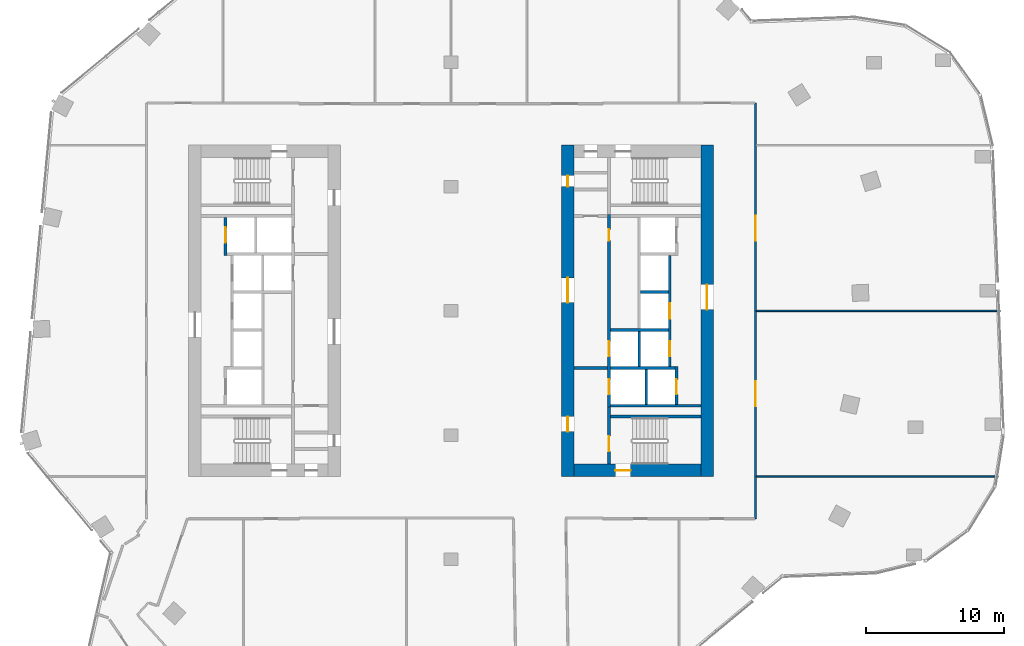
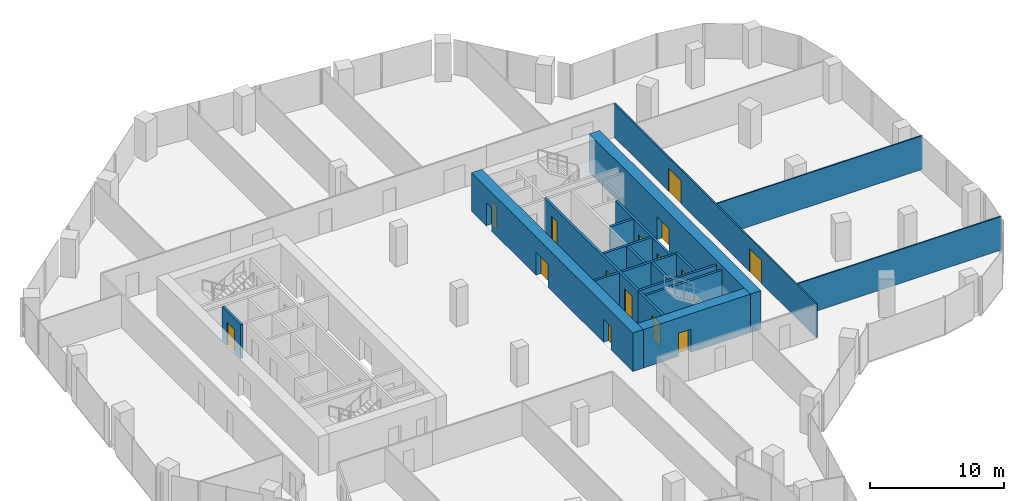
# One storey, part 21 of 24: 19 walls, 15 doors, 15 openings.
"""IFC4 building model written with IfcOpenShell, lengths in metres."""

from ifc_helpers import new_model, si_unit, direction, frame, frame_2d, origin, place, context, subcontext, project, spatial, rectangle, extrude, material, layer, layer_set, type_object, element, fill, save


model = new_model("IFC4")

# Units and contexts
model_context = context("Model", 3, precision=1e-05, world=origin(), true_north=direction((0.0, 1.0)))
body_context = subcontext(model_context, "Body", "Model", "MODEL_VIEW")
ifc_project = project(units=[si_unit("LENGTHUNIT", "METRE"), si_unit("AREAUNIT", "SQUARE_METRE"), si_unit("VOLUMEUNIT", "CUBIC_METRE"), si_unit("PLANEANGLEUNIT", "RADIAN"), si_unit("MASSUNIT", "GRAM", prefix="KILO")], contexts=[model_context])

# Site, building, storey
site_placement = place(None, origin())
site = spatial("IfcSite", under=ifc_project, at=site_placement, CompositionType="ELEMENT")
building_placement = place(site_placement, origin())
building = spatial("IfcBuilding", under=site, at=building_placement, Name="Orlundy Tower", CompositionType="ELEMENT")
storey_placement = place(building_placement, frame((0.0, 0.0, 170.60009765625)))
storey = spatial("IfcBuildingStorey", under=building, at=storey_placement, Name="L44", CompositionType="ELEMENT", Elevation=170.60009765625)

# Wall, opening, door
ifc_material_1 = material(Name="Concrete C70/85", Category="concrete")
ifc_layer_1 = layer(ifc_material_1, 0.89990234375)
ifc_layer_set_1 = layer_set([ifc_layer_1], Name="CORE WALL 900 C70/85")
wall_type_1 = type_object("IfcWallType", Name="CORE WALL 900 C70/85", PredefinedType="SHEAR", material=ifc_layer_set_1)
wall_1_placement = place(storey_placement, frame((8.89990234375, -11.550048828125, 0.0), z_axis=(0.0, 0.0, 1.0), x_axis=(1.0, 0.0, 0.0)))
wall_1 = element("IfcWall", 1, at=wall_1_placement, inside=storey, type_object=wall_type_1, Name="Core wall E-S L44", PredefinedType="SHEAR", context=body_context, shape_type="SweptSolid", body=[
    extrude(rectangle(XDim=9.2001953125, YDim=0.89990234375, at=frame_2d((4.60009765625, 0.0))), origin(), (0.0, 0.0, 1.0), 3.5),
])
opening_1_placement = place(wall_1_placement, frame((3.0, 0.0, 0.0)))
opening_1 = element("IfcOpeningElement", 2, at=opening_1_placement, cuts=wall_1, Name="Opening 35060", PredefinedType="OPENING", context=body_context, shape_type="SweptSolid", body=[
    extrude(rectangle(XDim=1.10009765625, YDim=2.10009765625, at=frame_2d((0.550048828125, 1.050048828125))), frame((0.0, 0.4599609375, 0.0), z_axis=(0.0, -1.0, 0.0), x_axis=(1.0, 0.0, 0.0)), (0.0, 0.0, 1.0), 0.919921875),
])
ifc_material_2 = material(Name="Steel door set", Category="steel")
door_type_1 = type_object("IfcDoorType", Name="Stair Door 1100x2100", OperationType="SINGLE_SWING_LEFT", PredefinedType="DOOR", material=ifc_material_2)
door_1_placement = place(opening_1_placement, origin())
door_1 = element("IfcDoor", 3, at=door_1_placement, inside=storey, type_object=door_type_1, Name="Stair door 35060", OperationType="SINGLE_SWING_LEFT", OverallHeight=2.10009765625, OverallWidth=1.10009765625, PredefinedType="DOOR", context=body_context, shape_type="SweptSolid", body=[
    extrude(rectangle(XDim=1.10009765625, YDim=2.10009765625, at=frame_2d((0.550048828125, 1.050048828125))), frame((0.0, 0.02490234375, 0.0), z_axis=(0.0, -1.0, 0.0), x_axis=(1.0, 0.0, 0.0)), (0.0, 0.0, 1.0), 0.050048828125),
])
fill(opening_1, door_1)

# Wall, openings, doors
wall_2_placement = place(storey_placement, frame((8.449951171875, -12.0, 0.0), z_axis=(0.0, 0.0, 1.0), x_axis=(0.0, 1.0, 0.0)))
wall_2 = element("IfcWall", 4, at=wall_2_placement, inside=storey, type_object=wall_type_1, Name="Core wall E-W L44", PredefinedType="SHEAR", context=body_context, shape_type="SweptSolid", body=[
    extrude(rectangle(XDim=24.0, YDim=0.89990234375, at=frame_2d((12.0, 0.0))), origin(), (0.0, 0.0, 1.0), 3.5),
])
opening_2_placement = place(wall_2_placement, frame((12.60009765625, 0.0, 0.0)))
opening_2 = element("IfcOpeningElement", 5, at=opening_2_placement, cuts=wall_2, Name="Opening 35057", PredefinedType="OPENING", context=body_context, shape_type="SweptSolid", body=[
    extrude(rectangle(XDim=1.800048828125, YDim=2.10009765625, at=frame_2d((0.89990234375, 1.050048828125))), frame((0.0, 0.4599609375, 0.0), z_axis=(0.0, -1.0, 0.0), x_axis=(1.0, 0.0, 0.0)), (0.0, 0.0, 1.0), 0.919921875),
])
opening_3_placement = place(wall_2_placement, frame((3.25, 0.0, 0.0)))
opening_3 = element("IfcOpeningElement", 6, at=opening_3_placement, cuts=wall_2, Name="Opening 35059", PredefinedType="OPENING", context=body_context, shape_type="SweptSolid", body=[
    extrude(rectangle(XDim=1.10009765625, YDim=2.10009765625, at=frame_2d((0.550048828125, 1.050048828125))), frame((0.0, 0.4599609375, 0.0), z_axis=(0.0, -1.0, 0.0), x_axis=(1.0, 0.0, 0.0)), (0.0, 0.0, 1.0), 0.919921875),
])
opening_4_placement = place(wall_2_placement, frame((21.0, 0.0, 0.0)))
opening_4 = element("IfcOpeningElement", 7, at=opening_4_placement, cuts=wall_2, Name="Opening 35064", PredefinedType="OPENING", context=body_context, shape_type="SweptSolid", body=[
    extrude(rectangle(XDim=0.800048828125, YDim=2.10009765625, at=frame_2d((0.39990234375, 1.050048828125))), frame((0.0, 0.4599609375, 0.0), z_axis=(0.0, -1.0, 0.0), x_axis=(1.0, 0.0, 0.0)), (0.0, 0.0, 1.0), 0.919921875),
])
ifc_material_3 = material(Name="Steel door set", Category="steel")
door_type_2 = type_object("IfcDoorType", Name="Fire-fighting Lobby Door 1100x2100", OperationType="SINGLE_SWING_LEFT", PredefinedType="DOOR", material=ifc_material_3)
door_2_placement = place(opening_3_placement, origin())
door_2 = element("IfcDoor", 8, at=door_2_placement, inside=storey, type_object=door_type_2, Name="Fire-fighting lobby door 35059", OperationType="SINGLE_SWING_LEFT", OverallHeight=2.10009765625, OverallWidth=1.10009765625, PredefinedType="DOOR", context=body_context, shape_type="SweptSolid", body=[
    extrude(rectangle(XDim=1.10009765625, YDim=2.10009765625, at=frame_2d((0.550048828125, 1.050048828125))), frame((0.0, 0.02490234375, 0.0), z_axis=(0.0, -1.0, 0.0), x_axis=(1.0, 0.0, 0.0)), (0.0, 0.0, 1.0), 0.050048828125),
])
fill(opening_3, door_2)
ifc_material_4 = material(Name="Timber door set", Category="wood")
door_type_3 = type_object("IfcDoorType", Name="Lobby Door 1800x2100", OperationType="DOUBLE_DOOR_DOUBLE_SWING", PredefinedType="DOOR", material=ifc_material_4)
door_3_placement = place(opening_2_placement, origin())
door_3 = element("IfcDoor", 9, at=door_3_placement, inside=storey, type_object=door_type_3, Name="Lift lobby door 35057", OperationType="SINGLE_SWING_RIGHT", OverallHeight=2.10009765625, OverallWidth=1.800048828125, PredefinedType="DOOR", context=body_context, shape_type="SweptSolid", body=[
    extrude(rectangle(XDim=1.800048828125, YDim=2.10009765625, at=frame_2d((0.89990234375, 1.050048828125))), frame((0.0, 0.02490234375, 0.0), z_axis=(0.0, -1.0, 0.0), x_axis=(1.0, 0.0, 0.0)), (0.0, 0.0, 1.0), 0.050048828125),
])
fill(opening_2, door_3)
ifc_material_5 = material(Name="Timber door set", Category="wood")
door_type_4 = type_object("IfcDoorType", Name="Riser Door 800x2100", OperationType="SINGLE_SWING_LEFT", PredefinedType="DOOR", material=ifc_material_5)
door_4_placement = place(opening_4_placement, origin())
door_4 = element("IfcDoor", 10, at=door_4_placement, inside=storey, type_object=door_type_4, Name="Door 35064", OperationType="SINGLE_SWING_RIGHT", OverallHeight=2.10009765625, OverallWidth=0.800048828125, PredefinedType="DOOR", context=body_context, shape_type="SweptSolid", body=[
    extrude(rectangle(XDim=0.800048828125, YDim=2.10009765625, at=frame_2d((0.39990234375, 1.050048828125))), frame((0.0, 0.02490234375, 0.0), z_axis=(0.0, -1.0, 0.0), x_axis=(1.0, 0.0, 0.0)), (0.0, 0.0, 1.0), 0.050048828125),
])
fill(opening_4, door_4)

# Wall, opening, door
wall_3_placement = place(storey_placement, frame((18.550048828125, -12.0, 0.0), z_axis=(0.0, 0.0, 1.0), x_axis=(0.0, 1.0, 0.0)))
wall_3 = element("IfcWall", 11, at=wall_3_placement, inside=storey, type_object=wall_type_1, Name="Core wall E-E L44", PredefinedType="SHEAR", context=body_context, shape_type="SweptSolid", body=[
    extrude(rectangle(XDim=24.0, YDim=0.89990234375, at=frame_2d((12.0, 0.0))), origin(), (0.0, 0.0, 1.0), 3.5),
])
opening_5_placement = place(wall_3_placement, frame((12.10009765625, 0.0, 0.0)))
opening_5 = element("IfcOpeningElement", 12, at=opening_5_placement, cuts=wall_3, Name="Opening 35058", PredefinedType="OPENING", context=body_context, shape_type="SweptSolid", body=[
    extrude(rectangle(XDim=1.800048828125, YDim=2.10009765625, at=frame_2d((0.89990234375, 1.050048828125))), frame((0.0, 0.4599609375, 0.0), z_axis=(0.0, -1.0, 0.0), x_axis=(1.0, 0.0, 0.0)), (0.0, 0.0, 1.0), 0.919921875),
])
door_5_placement = place(opening_5_placement, origin())
door_5 = element("IfcDoor", 13, at=door_5_placement, inside=storey, type_object=door_type_3, Name="Lift lobby door 35058", OperationType="SINGLE_SWING_RIGHT", OverallHeight=2.10009765625, OverallWidth=1.800048828125, PredefinedType="DOOR", context=body_context, shape_type="SweptSolid", body=[
    extrude(rectangle(XDim=1.800048828125, YDim=2.10009765625, at=frame_2d((0.89990234375, 1.050048828125))), frame((0.0, 0.02490234375, 0.0), z_axis=(0.0, -1.0, 0.0), x_axis=(1.0, 0.0, 0.0)), (0.0, 0.0, 1.0), 0.050048828125),
])
fill(opening_5, door_5)

# Walls
ifc_material_6 = material(Name="Gypsum board partition")
ifc_layer_2 = layer(ifc_material_6, 0.10009765625)
ifc_layer_set_2 = layer_set([ifc_layer_2], Name="Floor partition 100")
wall_type_2 = type_object("IfcWallType", Name="Floor partition 100", PredefinedType="PARTITIONING", material=ifc_layer_set_2)
wall_4_placement = place(storey_placement, frame((22.113037109375, -12.0, 0.0), z_axis=(0.0, 0.0, 1.0), x_axis=(1.0, 0.0, 0.0)))
element("IfcWall", 14, at=wall_4_placement, inside=storey, type_object=wall_type_2, Name="wall-int-L44-042", PredefinedType="PARTITIONING", context=body_context, shape_type="SweptSolid", body=[
    extrude(rectangle(XDim=17.530029296875, YDim=0.10009765625, at=frame_2d((8.76513671875, 0.0))), origin(), (0.0, 0.0, 1.0), 3.059814453125),
])
wall_5_placement = place(storey_placement, frame((22.113037109375, 0.0, 0.0), z_axis=(0.0, 0.0, 1.0), x_axis=(1.0, 0.0, 0.0)))
element("IfcWall", 15, at=wall_5_placement, inside=storey, type_object=wall_type_2, Name="wall-int-L44-043", PredefinedType="PARTITIONING", context=body_context, shape_type="SweptSolid", body=[
    extrude(rectangle(XDim=17.666015625, YDim=0.10009765625, at=frame_2d((8.8330078125, 0.0))), origin(), (0.0, 0.0, 1.0), 3.059814453125),
])

# Wall, openings, doors
ifc_material_7 = material(Name="Gypsum board partition, double layer")
ifc_layer_3 = layer(ifc_material_7, 0.125)
ifc_layer_set_3 = layer_set([ifc_layer_3], Name="Floor partition 125")
wall_type_3 = type_object("IfcWallType", Name="Floor partition 125", PredefinedType="PARTITIONING", material=ifc_layer_set_3)
wall_6_placement = place(storey_placement, frame((22.051025390625, 15.050048828125, 0.0), z_axis=(0.0, 0.0, 1.0), x_axis=(0.0, -1.0, 0.0)))
wall_6 = element("IfcWall", 16, at=wall_6_placement, inside=storey, type_object=wall_type_3, Name="wall-int-L44-070", PredefinedType="PARTITIONING", context=body_context, shape_type="SweptSolid", body=[
    extrude(rectangle(XDim=30.10009765625, YDim=0.125, at=frame_2d((15.050048828125, 0.0))), origin(), (0.0, 0.0, 1.0), 3.059814453125),
])
opening_6_placement = place(wall_6_placement, frame((20.14990234375, 0.0, 0.0)))
opening_6 = element("IfcOpeningElement", 17, at=opening_6_placement, cuts=wall_6, Name="Opening 35119", PredefinedType="OPENING", context=body_context, shape_type="SweptSolid", body=[
    extrude(rectangle(XDim=1.800048828125, YDim=2.10009765625, at=frame_2d((0.89990234375, 1.050048828125))), frame((0.0, 0.072509765625, 0.0), z_axis=(0.0, -1.0, 0.0), x_axis=(1.0, 0.0, 0.0)), (0.0, 0.0, 1.0), 0.14501953125),
])
opening_7_placement = place(wall_6_placement, frame((8.14990234375, 0.0, 0.0)))
opening_7 = element("IfcOpeningElement", 18, at=opening_7_placement, cuts=wall_6, Name="Opening 35120", PredefinedType="OPENING", context=body_context, shape_type="SweptSolid", body=[
    extrude(rectangle(XDim=1.800048828125, YDim=2.10009765625, at=frame_2d((0.89990234375, 1.050048828125))), frame((0.0, 0.072509765625, 0.0), z_axis=(0.0, -1.0, 0.0), x_axis=(1.0, 0.0, 0.0)), (0.0, 0.0, 1.0), 0.14501953125),
])
ifc_material_8 = material(Name="Timber door leaf", Category="wood")
door_type_5 = type_object("IfcDoorType", Name="Floor door double 1800 FD30S", OperationType="NOTDEFINED", PredefinedType="DOOR", material=ifc_material_8)
door_6_placement = place(opening_6_placement, origin())
door_6 = element("IfcDoor", 19, at=door_6_placement, inside=storey, type_object=door_type_5, Name="Door 35119", OperationType="DOUBLE_DOOR_SINGLE_SWING", OverallHeight=2.10009765625, OverallWidth=1.800048828125, PredefinedType="DOOR", context=body_context, shape_type="SweptSolid", body=[
    extrude(rectangle(XDim=1.800048828125, YDim=2.10009765625, at=frame_2d((0.89990234375, 1.050048828125))), frame((0.0, 0.02490234375, 0.0), z_axis=(0.0, -1.0, 0.0), x_axis=(1.0, 0.0, 0.0)), (0.0, 0.0, 1.0), 0.050048828125),
])
fill(opening_6, door_6)
door_7_placement = place(opening_7_placement, origin())
door_7 = element("IfcDoor", 20, at=door_7_placement, inside=storey, type_object=door_type_5, Name="Door 35120", OperationType="DOUBLE_DOOR_SINGLE_SWING", OverallHeight=2.10009765625, OverallWidth=1.800048828125, PredefinedType="DOOR", context=body_context, shape_type="SweptSolid", body=[
    extrude(rectangle(XDim=1.800048828125, YDim=2.10009765625, at=frame_2d((0.89990234375, 1.050048828125))), frame((0.0, 0.02490234375, 0.0), z_axis=(0.0, -1.0, 0.0), x_axis=(1.0, 0.0, 0.0)), (0.0, 0.0, 1.0), 0.050048828125),
])
fill(opening_7, door_7)

# Wall, opening, door
ifc_material_9 = material(Name="Concrete C40/50", Category="concrete")
ifc_layer_4 = layer(ifc_material_9, 0.199951171875)
ifc_layer_set_4 = layer_set([ifc_layer_4], Name="Load-bearing Shaft Wall 200")
wall_type_4 = type_object("IfcWallType", Name="Load-bearing Shaft Wall 200", PredefinedType="SOLIDWALL", material=ifc_layer_set_4)
wall_7_placement = place(storey_placement, frame((11.43994140625, -6.97509765625, 0.0), z_axis=(0.0, 0.0, 1.0), x_axis=(0.0, -1.0, 0.0)))
wall_7 = element("IfcWall", 21, at=wall_7_placement, inside=storey, type_object=wall_type_4, Name="Shaft wall E35-stair-end-n", PredefinedType="SOLIDWALL", context=body_context, shape_type="SweptSolid", body=[
    extrude(rectangle(XDim=4.125, YDim=0.199951171875, at=frame_2d((2.0625, 0.0))), origin(), (0.0, 0.0, 1.0), 3.079833984375),
])
opening_8_placement = place(wall_7_placement, frame((2.10009765625, 0.0, 0.0)))
opening_8 = element("IfcOpeningElement", 22, at=opening_8_placement, cuts=wall_7, Name="Opening 35062", PredefinedType="OPENING", context=body_context, shape_type="SweptSolid", body=[
    extrude(rectangle(XDim=1.10009765625, YDim=2.10009765625, at=frame_2d((0.550048828125, 1.050048828125))), frame((0.0, 0.110107421875, 0.0), z_axis=(0.0, -1.0, 0.0), x_axis=(1.0, 0.0, 0.0)), (0.0, 0.0, 1.0), 0.22021484375),
])
door_8_placement = place(opening_8_placement, origin())
door_8 = element("IfcDoor", 23, at=door_8_placement, inside=storey, type_object=door_type_2, Name="Fire-fighting lobby to stair door 35062", OperationType="SINGLE_SWING_RIGHT", OverallHeight=2.10009765625, OverallWidth=1.10009765625, PredefinedType="DOOR", context=body_context, shape_type="SweptSolid", body=[
    extrude(rectangle(XDim=1.10009765625, YDim=2.10009765625, at=frame_2d((0.550048828125, 1.050048828125))), frame((0.0, 0.02490234375, 0.0), z_axis=(0.0, -1.0, 0.0), x_axis=(1.0, 0.0, 0.0)), (0.0, 0.0, 1.0), 0.050048828125),
])
fill(opening_8, door_8)

# Walls
wall_8_placement = place(storey_placement, frame((11.5400390625, -7.64990234375, 0.0), z_axis=(0.0, 0.0, 1.0), x_axis=(1.0, 0.0, 0.0)))
element("IfcWall", 24, at=wall_8_placement, inside=storey, type_object=wall_type_4, Name="Shaft wall E35-stair-side-n", PredefinedType="SOLIDWALL", context=body_context, shape_type="SweptSolid", body=[
    extrude(rectangle(XDim=6.56005859375, YDim=0.199951171875, at=frame_2d((3.280029296875, 0.0))), origin(), (0.0, 0.0, 1.0), 3.079833984375),
])
ifc_material_10 = material(Name="Gypsum board partition on steel studs", Category="steel")
ifc_layer_5 = layer(ifc_material_10, 0.199951171875)
ifc_layer_set_5 = layer_set([ifc_layer_5], Name="Partition 200")
wall_type_5 = type_object("IfcWallType", Name="Partition 200", PredefinedType="PARTITIONING", material=ifc_layer_set_5)
wall_9_placement = place(storey_placement, frame((8.89990234375, -4.125, 0.0), z_axis=(0.0, 0.0, 1.0), x_axis=(1.0, 0.0, 0.0)))
element("IfcWall", 25, at=wall_9_placement, inside=storey, type_object=wall_type_5, Name="Partition wall E35-lobby-n", PredefinedType="PARTITIONING", context=body_context, shape_type="SweptSolid", body=[
    extrude(rectangle(XDim=2.440185546875, YDim=0.199951171875, at=frame_2d((1.22021484375, 0.0))), origin(), (0.0, 0.0, 1.0), 3.079833984375),
])

# Wall, opening, door
ifc_material_11 = material(Name="Fire-rated blockwork shaft wall", Category="masonry")
ifc_layer_6 = layer(ifc_material_11, 0.199951171875)
ifc_layer_set_6 = layer_set([ifc_layer_6], Name="Shaft Wall 200")
wall_type_6 = type_object("IfcWallType", Name="Shaft Wall 200", PredefinedType="SOLIDWALL", material=ifc_layer_set_6)
wall_10_placement = place(storey_placement, frame((-16.340087890625, 4.02490234375, 0.0), z_axis=(0.0, 0.0, 1.0), x_axis=(0.0, 1.0, 0.0)))
wall_10 = element("IfcWall", 26, at=wall_10_placement, inside=storey, type_object=wall_type_6, Name="Shaft wall W35-front-o-c", PredefinedType="SOLIDWALL", context=body_context, shape_type="SweptSolid", body=[
    extrude(rectangle(XDim=2.75, YDim=0.199951171875, at=frame_2d((1.375, 0.0))), origin(), (0.0, 0.0, 1.0), 3.079833984375),
])
opening_9_placement = place(wall_10_placement, frame((0.925048828125, 0.0, 0.0)))
opening_9 = element("IfcOpeningElement", 27, at=opening_9_placement, cuts=wall_10, Name="Opening 35006", PredefinedType="OPENING", context=body_context, shape_type="SweptSolid", body=[
    extrude(rectangle(XDim=1.10009765625, YDim=2.10009765625, at=frame_2d((0.550048828125, 1.050048828125))), frame((0.0, 0.110107421875, 0.0), z_axis=(0.0, -1.0, 0.0), x_axis=(1.0, 0.0, 0.0)), (0.0, 0.0, 1.0), 0.22021484375),
])
ifc_material_12 = material(Name="Steel door set", Category="steel")
door_type_6 = type_object("IfcDoorType", Name="Landing Door 1100x2100", OperationType="DOUBLE_DOOR_SLIDING", PredefinedType="DOOR", material=ifc_material_12)
door_9_placement = place(opening_9_placement, origin())
door_9 = element("IfcDoor", 28, at=door_9_placement, inside=storey, type_object=door_type_6, Name="Lift landing door LP-14 35006", OperationType="DOUBLE_DOOR_SLIDING", OverallHeight=2.10009765625, OverallWidth=1.10009765625, PredefinedType="DOOR", context=body_context, shape_type="SweptSolid", body=[
    extrude(rectangle(XDim=1.10009765625, YDim=2.10009765625, at=frame_2d((0.550048828125, 1.050048828125))), frame((0.0, 0.02490234375, 0.0), z_axis=(0.0, -1.0, 0.0), x_axis=(1.0, 0.0, 0.0)), (0.0, 0.0, 1.0), 0.050048828125),
])
fill(opening_9, door_9)

# Walls
wall_11_placement = place(storey_placement, frame((11.5400390625, -6.875, 0.0), z_axis=(0.0, 0.0, 1.0), x_axis=(1.0, 0.0, 0.0)))
element("IfcWall", 29, at=wall_11_placement, inside=storey, type_object=wall_type_6, Name="Shaft wall E35-zone-n", PredefinedType="SOLIDWALL", context=body_context, shape_type="SweptSolid", body=[
    extrude(rectangle(XDim=6.56005859375, YDim=0.199951171875, at=frame_2d((3.280029296875, 0.0))), origin(), (0.0, 0.0, 1.0), 3.079833984375),
])
wall_12_placement = place(storey_placement, frame((13.739990234375, 1.375, 0.0), z_axis=(0.0, 0.0, 1.0), x_axis=(1.0, 0.0, 0.0)))
element("IfcWall", 30, at=wall_12_placement, inside=storey, type_object=wall_type_6, Name="Shaft wall E35-cross-1.375", PredefinedType="SOLIDWALL", context=body_context, shape_type="SweptSolid", body=[
    extrude(rectangle(XDim=2.0, YDim=0.199951171875, at=frame_2d((1.0, 0.0))), origin(), (0.0, 0.0, 1.0), 3.079833984375),
])
wall_13_placement = place(storey_placement, frame((11.5400390625, -1.375, 0.0), z_axis=(0.0, 0.0, 1.0), x_axis=(1.0, 0.0, 0.0)))
element("IfcWall", 31, at=wall_13_placement, inside=storey, type_object=wall_type_6, Name="Shaft wall E35-cross+1.375", PredefinedType="SOLIDWALL", context=body_context, shape_type="SweptSolid", body=[
    extrude(rectangle(XDim=4.199951171875, YDim=0.199951171875, at=frame_2d((2.10009765625, 0.0))), origin(), (0.0, 0.0, 1.0), 3.079833984375),
])
wall_14_placement = place(storey_placement, frame((11.5400390625, -4.125, 0.0), z_axis=(0.0, 0.0, 1.0), x_axis=(1.0, 0.0, 0.0)))
element("IfcWall", 32, at=wall_14_placement, inside=storey, type_object=wall_type_6, Name="Shaft wall E35-cross+4.125", PredefinedType="SOLIDWALL", context=body_context, shape_type="SweptSolid", body=[
    extrude(rectangle(XDim=4.699951171875, YDim=0.199951171875, at=frame_2d((2.35009765625, 0.0))), origin(), (0.0, 0.0, 1.0), 3.079833984375),
])

# Wall, openings, doors
wall_15_placement = place(storey_placement, frame((11.43994140625, 6.97509765625, 0.0), z_axis=(0.0, 0.0, 1.0), x_axis=(0.0, -1.0, 0.0)))
wall_15 = element("IfcWall", 33, at=wall_15_placement, inside=storey, type_object=wall_type_6, Name="Shaft wall E35-front-h", PredefinedType="SOLIDWALL", context=body_context, shape_type="SweptSolid", body=[
    extrude(rectangle(XDim=13.9501953125, YDim=0.199951171875, at=frame_2d((6.97509765625, 0.0))), origin(), (0.0, 0.0, 1.0), 3.079833984375),
])
opening_10_placement = place(wall_15_placement, frame((9.175048828125, 0.0, 0.0)))
opening_10 = element("IfcOpeningElement", 34, at=opening_10_placement, cuts=wall_15, Name="Opening 35052", PredefinedType="OPENING", context=body_context, shape_type="SweptSolid", body=[
    extrude(rectangle(XDim=1.10009765625, YDim=2.10009765625, at=frame_2d((0.550048828125, 1.050048828125))), frame((0.0, 0.110107421875, 0.0), z_axis=(0.0, -1.0, 0.0), x_axis=(1.0, 0.0, 0.0)), (0.0, 0.0, 1.0), 0.22021484375),
])
opening_11_placement = place(wall_15_placement, frame((11.925048828125, 0.0, 0.0)))
opening_11 = element("IfcOpeningElement", 35, at=opening_11_placement, cuts=wall_15, Name="Opening 35054", PredefinedType="OPENING", context=body_context, shape_type="SweptSolid", body=[
    extrude(rectangle(XDim=1.10009765625, YDim=2.10009765625, at=frame_2d((0.550048828125, 1.050048828125))), frame((0.0, 0.110107421875, 0.0), z_axis=(0.0, -1.0, 0.0), x_axis=(1.0, 0.0, 0.0)), (0.0, 0.0, 1.0), 0.22021484375),
])
opening_12_placement = place(wall_15_placement, frame((1.074951171875, 0.0, 0.0)))
opening_12 = element("IfcOpeningElement", 36, at=opening_12_placement, cuts=wall_15, Name="Opening 35056", PredefinedType="OPENING", context=body_context, shape_type="SweptSolid", body=[
    extrude(rectangle(XDim=0.800048828125, YDim=2.10009765625, at=frame_2d((0.39990234375, 1.050048828125))), frame((0.0, 0.110107421875, 0.0), z_axis=(0.0, -1.0, 0.0), x_axis=(1.0, 0.0, 0.0)), (0.0, 0.0, 1.0), 0.22021484375),
])
door_10_placement = place(opening_10_placement, origin())
door_10 = element("IfcDoor", 37, at=door_10_placement, inside=storey, type_object=door_type_6, Name="Lift landing door LP-16 35052", OperationType="DOUBLE_DOOR_SLIDING", OverallHeight=2.10009765625, OverallWidth=1.10009765625, PredefinedType="DOOR", context=body_context, shape_type="SweptSolid", body=[
    extrude(rectangle(XDim=1.10009765625, YDim=2.10009765625, at=frame_2d((0.550048828125, 1.050048828125))), frame((0.0, 0.02490234375, 0.0), z_axis=(0.0, -1.0, 0.0), x_axis=(1.0, 0.0, 0.0)), (0.0, 0.0, 1.0), 0.050048828125),
])
fill(opening_10, door_10)
door_11_placement = place(opening_11_placement, origin())
door_11 = element("IfcDoor", 38, at=door_11_placement, inside=storey, type_object=door_type_6, Name="Lift landing door FL2 35054", OperationType="DOUBLE_DOOR_SLIDING", OverallHeight=2.10009765625, OverallWidth=1.10009765625, PredefinedType="DOOR", context=body_context, shape_type="SweptSolid", body=[
    extrude(rectangle(XDim=1.10009765625, YDim=2.10009765625, at=frame_2d((0.550048828125, 1.050048828125))), frame((0.0, 0.02490234375, 0.0), z_axis=(0.0, -1.0, 0.0), x_axis=(1.0, 0.0, 0.0)), (0.0, 0.0, 1.0), 0.050048828125),
])
fill(opening_11, door_11)
door_12_placement = place(opening_12_placement, origin())
door_12 = element("IfcDoor", 39, at=door_12_placement, inside=storey, type_object=door_type_4, Name="Telecom Room door 35056", OperationType="SINGLE_SWING_LEFT", OverallHeight=2.10009765625, OverallWidth=0.800048828125, PredefinedType="DOOR", context=body_context, shape_type="SweptSolid", body=[
    extrude(rectangle(XDim=0.800048828125, YDim=2.10009765625, at=frame_2d((0.39990234375, 1.050048828125))), frame((0.0, 0.02490234375, 0.0), z_axis=(0.0, -1.0, 0.0), x_axis=(1.0, 0.0, 0.0)), (0.0, 0.0, 1.0), 0.050048828125),
])
fill(opening_12, door_12)

# Walls
for number, where, z_axis, x_axis, name in (
    (40, (13.639892578125, -1.47509765625, 0.0), (0.0, 0.0, 1.0), (0.0, -1.0, 0.0), "Shaft wall E35-mid-a.1"),
    (41, (14.139892578125, -4.22509765625, 0.0), (0.0, 0.0, 1.0), (0.0, -1.0, 0.0), "Shaft wall E35-mid-b"),
):
    element("IfcWall", number, at=place(storey_placement, frame(where, z_axis=z_axis, x_axis=x_axis)), inside=storey, type_object=wall_type_6, Name=name, PredefinedType="SOLIDWALL", context=body_context, shape_type="SweptSolid", body=[
        extrude(rectangle(XDim=2.5498046875, YDim=0.199951171875, at=frame_2d((1.27490234375, 0.0))), origin(), (0.0, 0.0, 1.0), 3.079833984375),
    ])

# Wall, openings, doors
wall_16_placement = place(storey_placement, frame((15.840087890625, 4.02490234375, 0.0), z_axis=(0.0, 0.0, 1.0), x_axis=(0.0, -1.0, 0.0)))
wall_16 = element("IfcWall", 42, at=wall_16_placement, inside=storey, type_object=wall_type_6, Name="Shaft wall E35-front-o-b", PredefinedType="SOLIDWALL", context=body_context, shape_type="SweptSolid", body=[
    extrude(rectangle(XDim=8.0498046875, YDim=0.199951171875, at=frame_2d((4.02490234375, 0.0))), origin(), (0.0, 0.0, 1.0), 3.079833984375),
])
opening_13_placement = place(wall_16_placement, frame((3.47509765625, 0.0, 0.0)))
opening_13 = element("IfcOpeningElement", 43, at=opening_13_placement, cuts=wall_16, Name="Opening 35051", PredefinedType="OPENING", context=body_context, shape_type="SweptSolid", body=[
    extrude(rectangle(XDim=1.10009765625, YDim=2.10009765625, at=frame_2d((0.550048828125, 1.050048828125))), frame((0.0, 0.110107421875, 0.0), z_axis=(0.0, -1.0, 0.0), x_axis=(1.0, 0.0, 0.0)), (0.0, 0.0, 1.0), 0.22021484375),
])
opening_14_placement = place(wall_16_placement, frame((6.22509765625, 0.0, 0.0)))
opening_14 = element("IfcOpeningElement", 44, at=opening_14_placement, cuts=wall_16, Name="Opening 35053", PredefinedType="OPENING", context=body_context, shape_type="SweptSolid", body=[
    extrude(rectangle(XDim=1.10009765625, YDim=2.10009765625, at=frame_2d((0.550048828125, 1.050048828125))), frame((0.0, 0.110107421875, 0.0), z_axis=(0.0, -1.0, 0.0), x_axis=(1.0, 0.0, 0.0)), (0.0, 0.0, 1.0), 0.22021484375),
])
door_13_placement = place(opening_13_placement, origin())
door_13 = element("IfcDoor", 45, at=door_13_placement, inside=storey, type_object=door_type_6, Name="Lift landing door LP-15 35051", OperationType="DOUBLE_DOOR_SLIDING", OverallHeight=2.10009765625, OverallWidth=1.10009765625, PredefinedType="DOOR", context=body_context, shape_type="SweptSolid", body=[
    extrude(rectangle(XDim=1.10009765625, YDim=2.10009765625, at=frame_2d((0.550048828125, 1.050048828125))), frame((0.0, 0.02490234375, 0.0), z_axis=(0.0, -1.0, 0.0), x_axis=(1.0, 0.0, 0.0)), (0.0, 0.0, 1.0), 0.050048828125),
])
fill(opening_13, door_13)
door_14_placement = place(opening_14_placement, origin())
door_14 = element("IfcDoor", 46, at=door_14_placement, inside=storey, type_object=door_type_6, Name="Lift landing door LP-17 35053", OperationType="DOUBLE_DOOR_SLIDING", OverallHeight=2.10009765625, OverallWidth=1.10009765625, PredefinedType="DOOR", context=body_context, shape_type="SweptSolid", body=[
    extrude(rectangle(XDim=1.10009765625, YDim=2.10009765625, at=frame_2d((0.550048828125, 1.050048828125))), frame((0.0, 0.02490234375, 0.0), z_axis=(0.0, -1.0, 0.0), x_axis=(1.0, 0.0, 0.0)), (0.0, 0.0, 1.0), 0.050048828125),
])
fill(opening_14, door_14)

# Wall, opening, door
wall_17_placement = place(storey_placement, frame((16.340087890625, -4.02490234375, 0.0), z_axis=(0.0, 0.0, 1.0), x_axis=(0.0, -1.0, 0.0)))
wall_17 = element("IfcWall", 47, at=wall_17_placement, inside=storey, type_object=wall_type_6, Name="Shaft wall E35-front-o-c", PredefinedType="SOLIDWALL", context=body_context, shape_type="SweptSolid", body=[
    extrude(rectangle(XDim=2.75, YDim=0.199951171875, at=frame_2d((1.375, 0.0))), origin(), (0.0, 0.0, 1.0), 3.079833984375),
])
opening_15_placement = place(wall_17_placement, frame((0.925048828125, 0.0, 0.0)))
opening_15 = element("IfcOpeningElement", 48, at=opening_15_placement, cuts=wall_17, Name="Opening 35055", PredefinedType="OPENING", context=body_context, shape_type="SweptSolid", body=[
    extrude(rectangle(XDim=1.10009765625, YDim=2.10009765625, at=frame_2d((0.550048828125, 1.050048828125))), frame((0.0, 0.110107421875, 0.0), z_axis=(0.0, -1.0, 0.0), x_axis=(1.0, 0.0, 0.0)), (0.0, 0.0, 1.0), 0.22021484375),
])
door_15_placement = place(opening_15_placement, origin())
door_15 = element("IfcDoor", 49, at=door_15_placement, inside=storey, type_object=door_type_6, Name="Lift landing door LP-18 35055", OperationType="DOUBLE_DOOR_SLIDING", OverallHeight=2.10009765625, OverallWidth=1.10009765625, PredefinedType="DOOR", context=body_context, shape_type="SweptSolid", body=[
    extrude(rectangle(XDim=1.10009765625, YDim=2.10009765625, at=frame_2d((0.550048828125, 1.050048828125))), frame((0.0, 0.02490234375, 0.0), z_axis=(0.0, -1.0, 0.0), x_axis=(1.0, 0.0, 0.0)), (0.0, 0.0, 1.0), 0.050048828125),
])
fill(opening_15, door_15)

save(model, "model.ifc")
